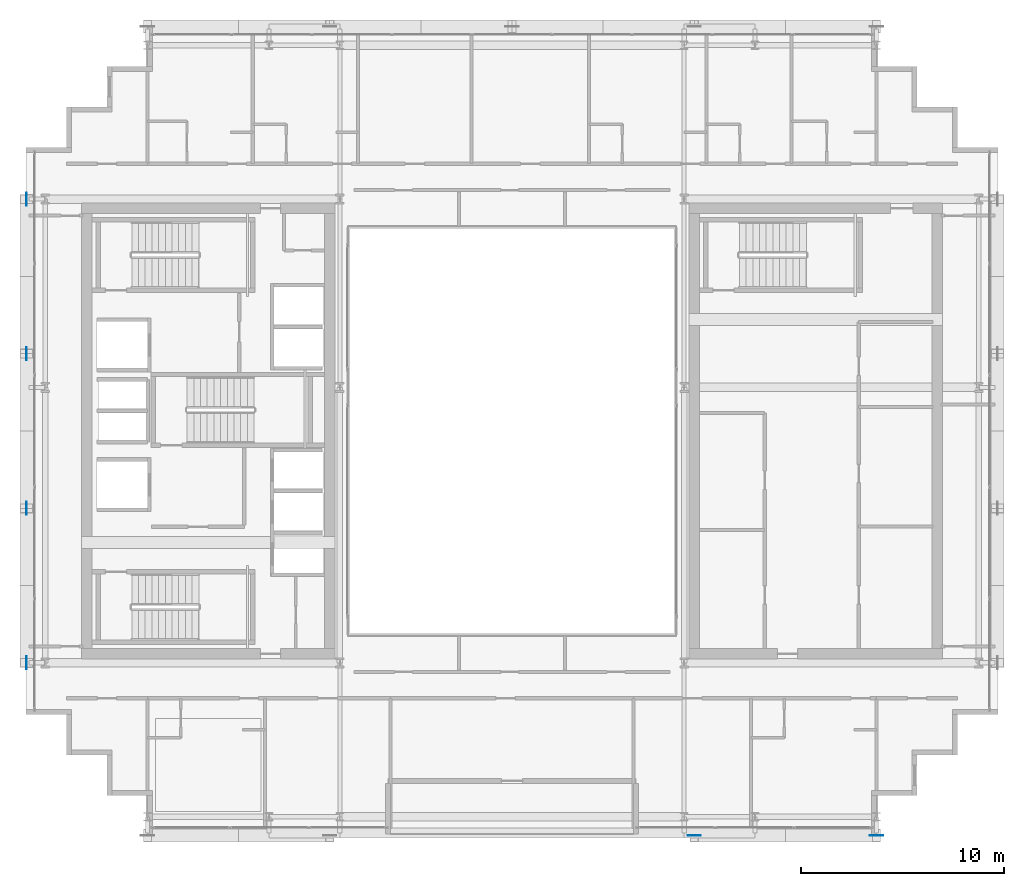
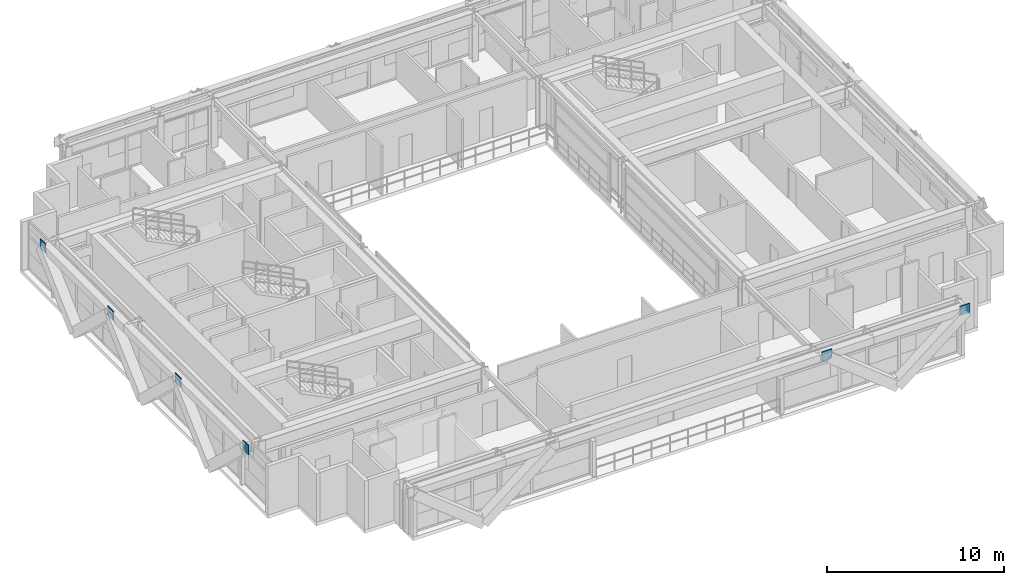
# One storey, part 27 of 37: 6 plates.
"""IFC4 building model written with IfcOpenShell, lengths in metres."""

from ifc_helpers import new_model, si_unit, direction, frame, origin, origin_2d, place, context, subcontext, project, spatial, rectangle, extrude, source, transform, mapped, material, layer, layer_set, type_object, element, save


model = new_model("IFC4")

# Units and contexts
model_context = context("Model", 3, precision=1e-05, world=origin(), true_north=direction((0.0, 1.0)))
body_context = subcontext(model_context, "Body", "Model", "MODEL_VIEW")
ifc_project = project(units=[si_unit("LENGTHUNIT", "METRE"), si_unit("AREAUNIT", "SQUARE_METRE"), si_unit("VOLUMEUNIT", "CUBIC_METRE"), si_unit("PLANEANGLEUNIT", "RADIAN"), si_unit("MASSUNIT", "GRAM", prefix="KILO")], contexts=[model_context])

# Site, building, storey
site_placement = place(None, origin())
site = spatial("IfcSite", under=ifc_project, at=site_placement, CompositionType="ELEMENT")
building_placement = place(site_placement, origin())
building = spatial("IfcBuilding", under=site, at=building_placement, Name="Ocotamira Hotel", CompositionType="ELEMENT")
storey_placement = place(building_placement, frame((0.0, 0.0, 192.0)))
storey = spatial("IfcBuildingStorey", under=building, at=storey_placement, Name="L48", CompositionType="ELEMENT", Elevation=192.0)

# Plates
ifc_material = material(Name="Pale-metal coated steel ASTM A572 Grade 50", Category="steel")
ifc_layer = layer(ifc_material, 0.0400390625)
ifc_layer_set = layer_set([ifc_layer], Name="Pale-metal coated steel ASTM A572 Grade 50")
plate_type = type_object("IfcPlateType", Name="PLT-GUSSET-40", PredefinedType="SHEET", material=ifc_layer_set)
shared_shape_1 = source(origin(), body_context, "Body", "SweptSolid", [
    extrude(rectangle(XDim=0.64990234375, YDim=0.0400390625, at=origin_2d()), origin(), (0.0, 0.0, 1.0), 0.64990234375),
])
for number, where, z_axis, x_axis, name in (
    (1, (41.0, 6.030029296875, 2.795166015625), (0.0, 0.0, 1.0), (-1.0, 0.0, 0.0), "L48 Exoskeleton Diagrid S3.1 End Gusset B"),
    (2, (50.0, 6.030029296875, 2.795166015625), (0.0, 0.0, 1.0), (1.0, 0.0, 0.0), "L48 Exoskeleton Diagrid S3.2 End Gusset B"),
):
    element("IfcPlate", number, at=place(storey_placement, frame(where, z_axis=z_axis, x_axis=x_axis)), inside=storey, type_object=plate_type, Name=name, PredefinedType="SHEET", context=body_context, shape_type="MappedRepresentation", body=[
        mapped(shared_shape_1, transform((0.0, 0.0, 0.0), scale=1.0)),
    ])
shared_shape_2 = source(origin(), body_context, "Body", "SweptSolid", [
    extrude(rectangle(XDim=0.0400390625, YDim=0.64990234375, at=origin_2d()), origin(), (0.0, 0.0, 1.0), 0.64990234375),
])
for number, where, z_axis, x_axis, name in (
    (3, (8.030029296875, 14.550048828125, 2.795166015625), (0.0, 0.0, 1.0), (1.0, 0.0, 0.0), "L48 Exoskeleton Diagrid W0.1 End Gusset B"),
    (4, (8.030029296875, 22.183349609375, 2.795166015625), (0.0, 0.0, 1.0), (1.0, 0.0, 0.0), "L48 Exoskeleton Diagrid W0.2 End Gusset B"),
    (5, (8.030029296875, 29.816650390625, 2.795166015625), (0.0, 0.0, 1.0), (1.0, 0.0, 0.0), "L48 Exoskeleton Diagrid W1.2 End Gusset B"),
    (6, (8.030029296875, 37.449951171875, 2.795166015625), (0.0, 0.0, 1.0), (1.0, 0.0, 0.0), "L48 Exoskeleton Diagrid W2.2 End Gusset B"),
):
    element("IfcPlate", number, at=place(storey_placement, frame(where, z_axis=z_axis, x_axis=x_axis)), inside=storey, type_object=plate_type, Name=name, PredefinedType="SHEET", context=body_context, shape_type="MappedRepresentation", body=[
        mapped(shared_shape_2, transform((0.0, 0.0, 0.0), scale=1.0)),
    ])

save(model, "model.ifc")
